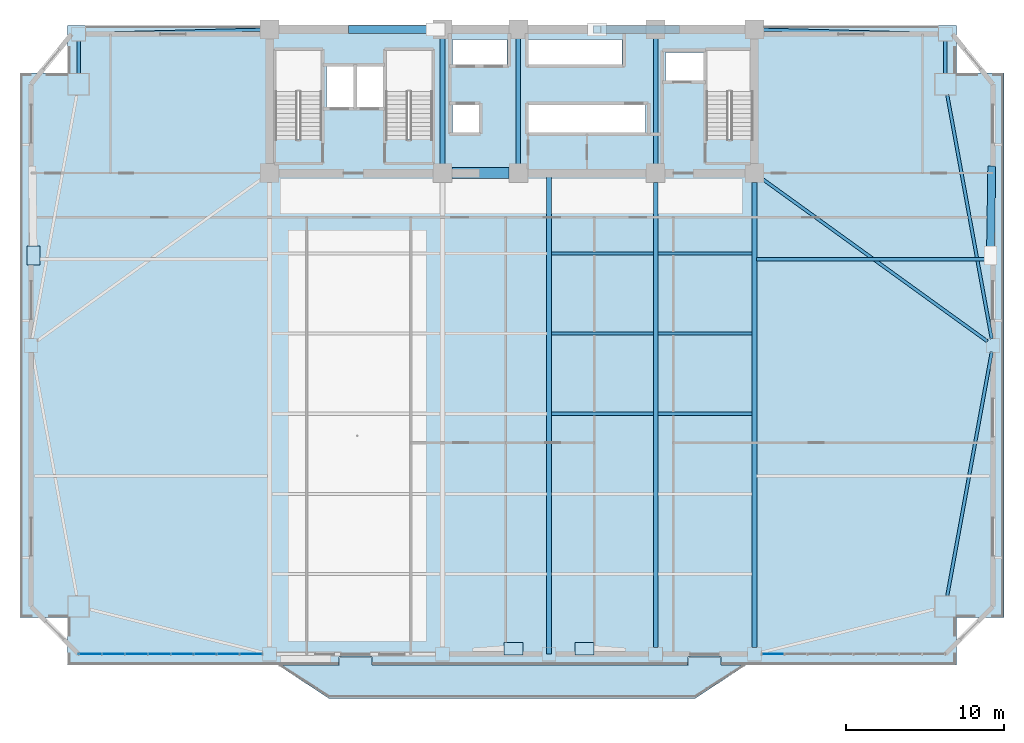
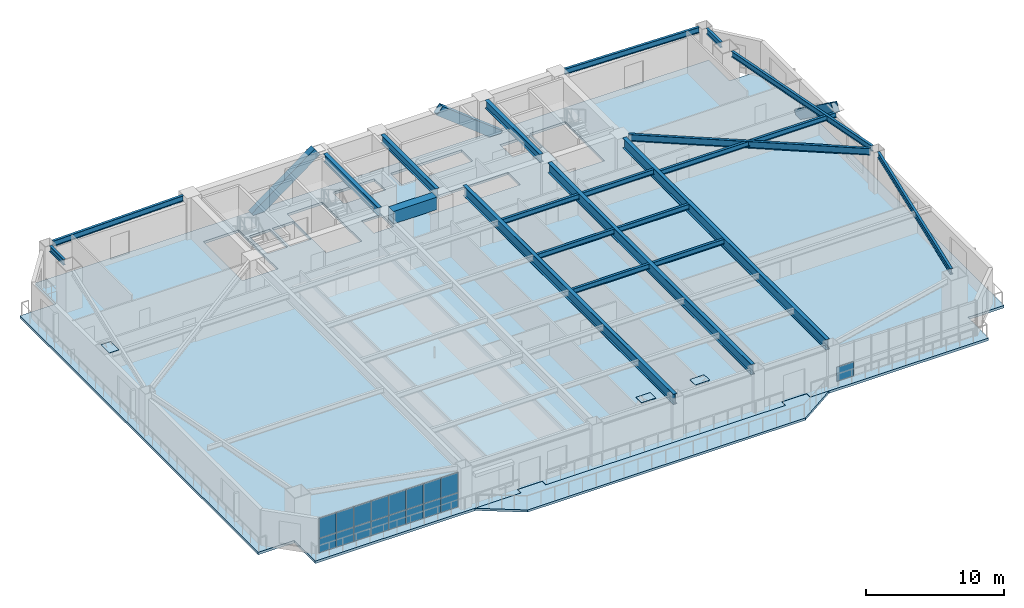
# One storey, part 6 of 15: 21 beams, 20 plates, 3 members, 2 slabs, 2 elements without a shape of their own.
"""IFC4 building model written with IfcOpenShell, lengths in metres."""

from ifc_helpers import new_model, si_unit, direction, frame, origin, origin_2d, place, context, subcontext, project, spatial, polyline, rectangle, hollow_rectangle, i_section, outline, extrude, source, transform, mapped, material, layer, layer_set, material_profile, profile_set, type_object, element, aggregate, save


model = new_model("IFC4")

# Units and contexts
model_context = context("Model", 3, precision=1e-05, world=origin(), true_north=direction((0.0, 1.0)))
body_context = subcontext(model_context, "Body", "Model", "MODEL_VIEW")
ifc_project = project(units=[si_unit("LENGTHUNIT", "METRE"), si_unit("AREAUNIT", "SQUARE_METRE"), si_unit("VOLUMEUNIT", "CUBIC_METRE"), si_unit("PLANEANGLEUNIT", "RADIAN"), si_unit("MASSUNIT", "GRAM", prefix="KILO")], contexts=[model_context])

# Site, building, storey
site_placement = place(None, origin())
site = spatial("IfcSite", under=ifc_project, at=site_placement, CompositionType="ELEMENT")
building_placement = place(site_placement, origin())
building = spatial("IfcBuilding", under=site, at=building_placement, Name="Giltprow Tower", CompositionType="ELEMENT")
storey_placement = place(building_placement, frame((0.0, 0.0, 115.300048828125)))
storey = spatial("IfcBuildingStorey", under=building, at=storey_placement, Name="L28", CompositionType="ELEMENT", Elevation=115.300048828125)

# Beams
ifc_material_1 = material(Name="Concrete C60", Category="concrete")
ifc_material_profile_1 = material_profile(ifc_material_1, rectangle(XDim=0.699951171875, YDim=1.10009765625, at=origin_2d()), Name="RC 1100x700")
ifc_profile_set_1 = profile_set([ifc_material_profile_1], Name="Concrete C60")
beam_type_1 = type_object("IfcBeamType", Name="BM-CPL-RC1100", PredefinedType="LINTEL", material=ifc_profile_set_1)
shared_shape_1 = source(origin(), body_context, "Body", "SweptSolid", [
    extrude(rectangle(XDim=0.699951171875, YDim=1.10009765625, at=origin_2d()), origin(), (0.0, 0.0, 1.0), 3.6298828125),
])
beam_1_placement = place(storey_placement, frame((31.385009765625, 37.449951171875, 3.1298828125), z_axis=(1.0, 0.0, 0.0), x_axis=(0.0, 1.0, 0.0)))
element("IfcBeam", 1, at=beam_1_placement, inside=storey, type_object=beam_type_1, Name="L28 Core Coupling Beam CB-1", PredefinedType="LINTEL", context=body_context, shape_type="MappedRepresentation", body=[
    mapped(shared_shape_1, transform((0.0, 0.0, 0.0), x_axis=(1.0, 0.0, 0.0), y_axis=(0.0, 1.0, 0.0), z_axis=(0.0, 0.0, 1.0), scale=1.0)),
])
ifc_material_2 = material(Name="Structural steel Q355B", Category="steel")
ifc_material_profile_2 = material_profile(ifc_material_2, i_section(OverallWidth=0.300048828125, OverallDepth=0.699951171875, WebThickness=0.012939453125, FlangeThickness=0.02392578125, at=origin_2d()), Name="HN 700x300x13x24")
ifc_profile_set_2 = profile_set([ifc_material_profile_2], Name="Structural steel Q355B")
beam_type_2 = type_object("IfcBeamType", Name="BM-GIRD-HN700", PredefinedType="BEAM", material=ifc_profile_set_2)
shared_shape_2 = source(origin(), body_context, "Body", "SweptSolid", [
    extrude(i_section(OverallWidth=0.300048828125, OverallDepth=0.699951171875, WebThickness=0.012939453125, FlangeThickness=0.02392578125, at=origin_2d()), origin(), (0.0, 0.0, 1.0), 7.93017578125),
])
for number, where, z_axis, x_axis, name in (
    (2, (30.800048828125, 38.034912109375, 3.329833984375), (0.0, 1.0, 0.0), (-1.0, 0.0, 0.0), "L28 Core Tie Girder M1"),
    (3, (35.60009765625, 38.034912109375, 3.329833984375), (0.0, 1.0, 0.0), (-1.0, 0.0, 0.0), "L28 Core Tie Girder M2"),
    (4, (44.300048828125, 38.034912109375, 3.329833984375), (0.0, 1.0, 0.0), (-1.0, 0.0, 0.0), "L28 Core Tie Girder M3"),
):
    element("IfcBeam", number, at=place(storey_placement, frame(where, z_axis=z_axis, x_axis=x_axis)), inside=storey, type_object=beam_type_2, Name=name, PredefinedType="BEAM", context=body_context, shape_type="MappedRepresentation", body=[
        mapped(shared_shape_2, transform((0.0, 0.0, 0.0), x_axis=(1.0, 0.0, 0.0), y_axis=(0.0, 1.0, 0.0), z_axis=(0.0, 0.0, 1.0), scale=1.0)),
    ])
ifc_material_profile_3 = material_profile(ifc_material_2, i_section(OverallWidth=0.199951171875, OverallDepth=0.449951171875, WebThickness=0.009033203125, FlangeThickness=0.013916015625, at=origin_2d()), Name="HN 450x200x9x14")
ifc_profile_set_3 = profile_set([ifc_material_profile_3], Name="Structural steel Q355B")
beam_type_3 = type_object("IfcBeamType", Name="BM-JOIST-HN450", PredefinedType="JOIST", material=ifc_profile_set_3)
shared_shape_3 = source(origin(), body_context, "Body", "SweptSolid", [
    extrude(i_section(OverallWidth=0.199951171875, OverallDepth=0.449951171875, WebThickness=0.009033203125, FlangeThickness=0.013916015625, at=origin_2d()), origin(), (0.0, 0.0, 1.0), 6.4599609375),
])
for number, where, z_axis, x_axis, name in (
    (5, (37.695068359375, 22.219970703125, 3.454833984375), (1.0, 0.0, 0.0), (0.0, 1.0, 0.0), "L28 Composite Floor Joist 3-3"),
    (6, (37.695068359375, 27.297119140625, 3.454833984375), (1.0, 0.0, 0.0), (0.0, 1.0, 0.0), "L28 Composite Floor Joist 4-3"),
    (7, (37.695068359375, 32.373046875, 3.454833984375), (1.0, 0.0, 0.0), (0.0, 1.0, 0.0), "L28 Composite Floor Joist 5-3"),
):
    element("IfcBeam", number, at=place(storey_placement, frame(where, z_axis=z_axis, x_axis=x_axis)), inside=storey, type_object=beam_type_3, Name=name, PredefinedType="JOIST", context=body_context, shape_type="MappedRepresentation", body=[
        mapped(shared_shape_3, transform((0.0, 0.0, 0.0), x_axis=(1.0, 0.0, 0.0), y_axis=(0.0, 1.0, 0.0), z_axis=(0.0, 0.0, 1.0), scale=1.0)),
    ])
shared_shape_4 = source(origin(), body_context, "Body", "SweptSolid", [
    extrude(i_section(OverallWidth=0.199951171875, OverallDepth=0.449951171875, WebThickness=0.009033203125, FlangeThickness=0.013916015625, at=origin_2d()), origin(), (0.0, 0.0, 1.0), 5.9599609375),
])
for number, where, z_axis, x_axis, name in (
    (8, (44.445068359375, 22.219970703125, 3.454833984375), (1.0, 0.0, 0.0), (0.0, 1.0, 0.0), "L28 Composite Floor Joist 3-4"),
    (9, (44.445068359375, 27.297119140625, 3.454833984375), (1.0, 0.0, 0.0), (0.0, 1.0, 0.0), "L28 Composite Floor Joist 4-4"),
    (10, (44.445068359375, 32.373046875, 3.454833984375), (1.0, 0.0, 0.0), (0.0, 1.0, 0.0), "L28 Composite Floor Joist 5-4"),
):
    element("IfcBeam", number, at=place(storey_placement, frame(where, z_axis=z_axis, x_axis=x_axis)), inside=storey, type_object=beam_type_3, Name=name, PredefinedType="JOIST", context=body_context, shape_type="MappedRepresentation", body=[
        mapped(shared_shape_4, transform((0.0, 0.0, 0.0), x_axis=(1.0, 0.0, 0.0), y_axis=(0.0, 1.0, 0.0), z_axis=(0.0, 0.0, 1.0), scale=1.0)),
    ])
ifc_material_profile_4 = material_profile(ifc_material_2, i_section(OverallWidth=0.199951171875, OverallDepth=0.5, WebThickness=0.010009765625, FlangeThickness=0.01611328125, at=origin_2d()), Name="HN 500x200x10x16")
ifc_profile_set_4 = profile_set([ifc_material_profile_4], Name="Structural steel Q355B")
beam_type_4 = type_object("IfcBeamType", Name="BM-SPAN-HN500", PredefinedType="SPANDREL", material=ifc_profile_set_4)
shared_shape_5 = source(origin(), body_context, "Body", "SweptSolid", [
    extrude(i_section(OverallWidth=0.199951171875, OverallDepth=0.5, WebThickness=0.010009765625, FlangeThickness=0.01611328125, at=origin_2d()), origin(), (0.0, 0.0, 1.0), 15.690673828125),
])
for number, where, z_axis, x_axis, name in (
    (11, (62.761962890625, 10.680908203125, 3.429931640625), (0.179463224787, 0.983764682711, 0.0), (-0.983764682711, 0.179463224787, 0.0), "L28 Perimeter Spandrel Beam MC_SE-E_MID"),
    (12, (65.577880859375, 26.972900390625, 3.429931640625), (-0.179463224787, 0.983764682711, 0.0), (-0.983764682711, -0.179463224787, 0.0), "L28 Perimeter Spandrel Beam E_MID-MC_NE"),
):
    element("IfcBeam", number, at=place(storey_placement, frame(where, z_axis=z_axis, x_axis=x_axis)), inside=storey, type_object=beam_type_4, Name=name, PredefinedType="SPANDREL", context=body_context, shape_type="MappedRepresentation", body=[
        mapped(shared_shape_5, transform((0.0, 0.0, 0.0), x_axis=(1.0, 0.0, 0.0), y_axis=(0.0, 1.0, 0.0), z_axis=(0.0, 0.0, 1.0), scale=1.0)),
    ])
shared_shape_6 = source(origin(), body_context, "Body", "SweptSolid", [
    extrude(i_section(OverallWidth=0.199951171875, OverallDepth=0.5, WebThickness=0.010009765625, FlangeThickness=0.01611328125, at=origin_2d()), origin(), (0.0, 0.0, 1.0), 2.046875),
])
for number, where, z_axis, x_axis, name in (
    (13, (62.638916015625, 43.76806640625, 3.429931640625), (0.0, 1.0, 0.0), (-1.0, 0.0, 0.0), "L28 Perimeter Spandrel Beam MC_NE-N_E"),
    (14, (7.760986328125, 45.81494140625, 3.429931640625), (0.0, -1.0, 0.0), (1.0, 0.0, 0.0), "L28 Perimeter Spandrel Beam N_W-MC_NW"),
):
    element("IfcBeam", number, at=place(storey_placement, frame(where, z_axis=z_axis, x_axis=x_axis)), inside=storey, type_object=beam_type_4, Name=name, PredefinedType="SPANDREL", context=body_context, shape_type="MappedRepresentation", body=[
        mapped(shared_shape_6, transform((0.0, 0.0, 0.0), x_axis=(1.0, 0.0, 0.0), y_axis=(0.0, 1.0, 0.0), z_axis=(0.0, 0.0, 1.0), scale=1.0)),
    ])
shared_shape_7 = source(origin(), body_context, "Body", "SweptSolid", [
    extrude(i_section(OverallWidth=0.199951171875, OverallDepth=0.5, WebThickness=0.010009765625, FlangeThickness=0.01611328125, at=origin_2d()), origin(), (0.0, 0.0, 1.0), 11.072265625),
])
beam_2_placement = place(storey_placement, frame((8.196044921875, 46.260986328125, 3.429931640625), z_axis=(0.999693922381, 0.024739877827, 0.0), x_axis=(-0.024739877827, 0.999693922381, 0.0)))
element("IfcBeam", 15, at=beam_2_placement, inside=storey, type_object=beam_type_4, Name="L28 North Wing Spandrel W", PredefinedType="SPANDREL", context=body_context, shape_type="MappedRepresentation", body=[
    mapped(shared_shape_7, transform((0.0, 0.0, 0.0), x_axis=(1.0, 0.0, 0.0), y_axis=(0.0, 1.0, 0.0), z_axis=(0.0, 0.0, 1.0), scale=1.0)),
])
shared_shape_8 = source(origin(), body_context, "Body", "SweptSolid", [
    extrude(i_section(OverallWidth=0.199951171875, OverallDepth=0.5, WebThickness=0.010009765625, FlangeThickness=0.01611328125, at=origin_2d()), origin(), (0.0, 0.0, 1.0), 11.072509765625),
])
beam_3_placement = place(storey_placement, frame((51.135009765625, 46.534912109375, 3.429931640625), z_axis=(0.999693935876, -0.024739332496, 0.0), x_axis=(0.024739332496, 0.999693935876, 0.0)))
element("IfcBeam", 16, at=beam_3_placement, inside=storey, type_object=beam_type_4, Name="L28 North Wing Spandrel E", PredefinedType="SPANDREL", context=body_context, shape_type="MappedRepresentation", body=[
    mapped(shared_shape_8, transform((0.0, 0.0, 0.0), x_axis=(1.0, 0.0, 0.0), y_axis=(0.0, 1.0, 0.0), z_axis=(0.0, 0.0, 1.0), scale=1.0)),
])
ifc_material_profile_5 = material_profile(ifc_material_2, i_section(OverallWidth=0.300048828125, OverallDepth=0.89990234375, WebThickness=0.01611328125, FlangeThickness=0.028076171875, at=origin_2d()), Name="HN 900x300x16x28")
ifc_profile_set_5 = profile_set([ifc_material_profile_5], Name="Structural steel Q355B")
beam_type_5 = type_object("IfcBeamType", Name="BM-GIRD-HN900", PredefinedType="BEAM", material=ifc_profile_set_5)
shared_shape_9 = source(origin(), body_context, "Body", "SweptSolid", [
    extrude(i_section(OverallWidth=0.300048828125, OverallDepth=0.89990234375, WebThickness=0.01611328125, FlangeThickness=0.028076171875, at=origin_2d()), origin(), (0.0, 0.0, 1.0), 29.43994140625),
])
for number, where, z_axis, x_axis, name in (
    (17, (44.300048828125, 7.425048828125, 3.22998046875), (0.0, 1.0, 0.0), (-1.0, 0.0, 0.0), "L28 Primary Lease Girder S3"),
    (18, (50.550048828125, 7.425048828125, 3.22998046875), (0.0, 1.0, 0.0), (-1.0, 0.0, 0.0), "L28 Primary Lease Girder S4"),
):
    element("IfcBeam", number, at=place(storey_placement, frame(where, z_axis=z_axis, x_axis=x_axis)), inside=storey, type_object=beam_type_5, Name=name, PredefinedType="BEAM", context=body_context, shape_type="MappedRepresentation", body=[
        mapped(shared_shape_9, transform((0.0, 0.0, 0.0), x_axis=(1.0, 0.0, 0.0), y_axis=(0.0, 1.0, 0.0), z_axis=(0.0, 0.0, 1.0), scale=1.0)),
    ])
shared_shape_10 = source(origin(), body_context, "Body", "SweptSolid", [
    extrude(i_section(OverallWidth=0.300048828125, OverallDepth=0.89990234375, WebThickness=0.01611328125, FlangeThickness=0.028076171875, at=origin_2d()), origin(), (0.0, 0.0, 1.0), 30.4599609375),
])
beam_4_placement = place(storey_placement, frame((37.550048828125, 6.989990234375, 3.22998046875), z_axis=(0.0, 1.0, 0.0), x_axis=(-1.0, 0.0, 0.0)))
element("IfcBeam", 19, at=beam_4_placement, inside=storey, type_object=beam_type_5, Name="L28 Central Lease Girder SMID", PredefinedType="BEAM", context=body_context, shape_type="MappedRepresentation", body=[
    mapped(shared_shape_10, transform((0.0, 0.0, 0.0), x_axis=(1.0, 0.0, 0.0), y_axis=(0.0, 1.0, 0.0), z_axis=(0.0, 0.0, 1.0), scale=1.0)),
])
ifc_material_profile_6 = material_profile(ifc_material_2, i_section(OverallWidth=0.199951171875, OverallDepth=0.60009765625, WebThickness=0.010986328125, FlangeThickness=0.01708984375, at=origin_2d()), Name="HN 600x200x11x17")
ifc_profile_set_6 = profile_set([ifc_material_profile_6], Name="Structural steel Q355B")
beam_type_6 = type_object("IfcBeamType", Name="BM-GIRD-HN600", PredefinedType="BEAM", material=ifc_profile_set_6)
shared_shape_11 = source(origin(), body_context, "Body", "SweptSolid", [
    extrude(i_section(OverallWidth=0.199951171875, OverallDepth=0.60009765625, WebThickness=0.010986328125, FlangeThickness=0.01708984375, at=origin_2d()), origin(), (0.0, 0.0, 1.0), 17.61083984375),
])
beam_5_placement = place(storey_placement, frame((65.302978515625, 26.800048828125, 3.3798828125), z_axis=(-0.810808250373, 0.585311866552, 0.0), x_axis=(-0.585311866552, -0.810808250373, 0.0)))
element("IfcBeam", 20, at=beam_5_placement, inside=storey, type_object=beam_type_6, Name="L28 East Wing Primary Girder", PredefinedType="BEAM", context=body_context, shape_type="MappedRepresentation", body=[
    mapped(shared_shape_11, transform((0.0, 0.0, 0.0), x_axis=(1.0, 0.0, 0.0), y_axis=(0.0, 1.0, 0.0), z_axis=(0.0, 0.0, 1.0), scale=1.0)),
])
shared_shape_12 = source(origin(), body_context, "Body", "SweptSolid", [
    extrude(i_section(OverallWidth=0.199951171875, OverallDepth=0.449951171875, WebThickness=0.009033203125, FlangeThickness=0.013916015625, at=origin_2d()), origin(), (0.0, 0.0, 1.0), 14.740966796875),
])
beam_6_placement = place(storey_placement, frame((50.695068359375, 31.998046875, 3.454833984375), z_axis=(1.0, 0.0, 0.0), x_axis=(0.0, 1.0, 0.0)))
element("IfcBeam", 21, at=beam_6_placement, inside=storey, type_object=beam_type_3, Name="L28 East Wing Floor Joist 2", PredefinedType="JOIST", context=body_context, shape_type="MappedRepresentation", body=[
    mapped(shared_shape_12, transform((0.0, 0.0, 0.0), x_axis=(1.0, 0.0, 0.0), y_axis=(0.0, 1.0, 0.0), z_axis=(0.0, 0.0, 1.0), scale=1.0)),
])

# Members
ifc_material_3 = material(Name="Structural steel Q420GJC", Category="steel")
ifc_material_profile_7 = material_profile(ifc_material_3, hollow_rectangle(XDim=0.5, YDim=0.800048828125, WallThickness=0.035888671875, at=origin_2d()), Name="RHS 800x500x36")
ifc_profile_set_7 = profile_set([ifc_material_profile_7], Name="Structural steel Q420GJC")
member_type = type_object("IfcMemberType", Name="MBR-MEGA-RHS800", PredefinedType="BRACE", material=ifc_profile_set_7)
shared_shape_13 = source(origin(), body_context, "Body", "SweptSolid", [
    extrude(hollow_rectangle(XDim=0.5, YDim=0.800048828125, WallThickness=0.035888671875, at=origin_2d()), origin(), (0.0, 0.0, 1.0), 6.5400390625),
])
member_1_placement = place(storey_placement, frame((25.10009765625, 46.550048828125, -0.14013671875), z_axis=(0.802733126154, 0.0, 0.596338434259), x_axis=(0.0, 1.0, 0.0)))
element("IfcMember", 22, at=member_1_placement, inside=storey, type_object=member_type, Name="L28 Chevron Mega-Brace N-L", PredefinedType="BRACE", context=body_context, shape_type="MappedRepresentation", body=[
    mapped(shared_shape_13, transform((0.0, 0.0, 0.0), x_axis=(1.0, 0.0, 0.0), y_axis=(0.0, 1.0, 0.0), z_axis=(0.0, 0.0, 1.0), scale=1.0)),
])
shared_shape_14 = source(origin(), body_context, "Body", "SweptSolid", [
    extrude(hollow_rectangle(XDim=0.5, YDim=0.800048828125, WallThickness=0.035888671875, at=origin_2d()), origin(), (0.0, 0.0, 1.0), 6.32861328125),
])
member_2_placement = place(storey_placement, frame((45.56689453125, 46.550048828125, -0.14013671875), z_axis=(-0.787526980349, 0.0, 0.616280175912), x_axis=(0.0, -1.0, 0.0)))
element("IfcMember", 23, at=member_2_placement, inside=storey, type_object=member_type, Name="L28 Chevron Mega-Brace N-R", PredefinedType="BRACE", context=body_context, shape_type="MappedRepresentation", body=[
    mapped(shared_shape_14, transform((0.0, 0.0, 0.0), x_axis=(1.0, 0.0, 0.0), y_axis=(0.0, 1.0, 0.0), z_axis=(0.0, 0.0, 1.0), scale=1.0)),
])
shared_shape_15 = source(origin(), body_context, "Body", "SweptSolid", [
    extrude(hollow_rectangle(XDim=0.5, YDim=0.800048828125, WallThickness=0.035888671875, at=origin_2d()), origin(), (0.0, 0.0, 1.0), 6.680908203125),
])
member_3_placement = place(storey_placement, frame((65.577880859375, 37.657958984375, 0.0), z_axis=(-0.011803202512, -0.811863003733, 0.583728659208), x_axis=(0.999894333973, -0.014536880311, 0.0)))
element("IfcMember", 24, at=member_3_placement, inside=storey, type_object=member_type, Name="L28 Chevron Mega-Brace E-R", PredefinedType="BRACE", context=body_context, shape_type="MappedRepresentation", body=[
    mapped(shared_shape_15, transform((0.0, 0.0, 0.0), x_axis=(1.0, 0.0, 0.0), y_axis=(0.0, 1.0, 0.0), z_axis=(0.0, 0.0, 1.0), scale=1.0)),
])

# Slabs
ifc_material_4 = material(Name="Concrete C40", Category="concrete")
ifc_layer_1 = layer(ifc_material_4, 0.199951171875, Name="Concrete C40")
ifc_layer_set_1 = layer_set([ifc_layer_1], Name="Concrete C40")
slab_type_1 = type_object("IfcSlabType", Name="SLB-BALC-BRONZE-200", PredefinedType="FLOOR", material=ifc_layer_set_1)
slab_1_placement = place(storey_placement, frame((0.0, 0.0, -0.199951171875)))
element("IfcSlab", 25, at=slab_1_placement, inside=storey, type_object=slab_type_1, Name="L28 Bronze Prow Waterfront Balcony Slab", PredefinedType="FLOOR", context=body_context, shape_type="SweptSolid", body=[
    extrude(outline(polyline([(50.0, 6.2900390625), (46.800048828125, 4.18994140625), (23.60009765625, 4.18994140625), (20.39990234375, 6.2900390625), (24.280029296875, 6.2900390625), (24.280029296875, 6.7900390625), (26.320068359375, 6.7900390625), (26.320068359375, 6.2900390625), (46.3798828125, 6.2900390625), (46.3798828125, 6.7900390625), (48.419921875, 6.7900390625), (48.419921875, 6.2900390625), (50.0, 6.2900390625)])), origin(), (0.0, 0.0, 1.0), 0.199951171875),
])
ifc_layer_2 = layer(ifc_material_4, 0.219970703125, Name="Concrete C40")
ifc_layer_set_2 = layer_set([ifc_layer_2], Name="Concrete C40")
slab_type_2 = type_object("IfcSlabType", Name="SLB-OFF-220", PredefinedType="FLOOR", material=ifc_layer_set_2)
slab_2_placement = place(storey_placement, frame((0.0, 0.0, -0.219970703125)))
element("IfcSlab", 26, at=slab_2_placement, inside=storey, type_object=slab_type_2, Name="L28 Structural Composite Floor Slab", PredefinedType="FLOOR", context=body_context, shape_type="SweptSolid", body=[
    extrude(outline(polyline([(7.06103515625, 6.2900390625), (7.06103515625, 9.306884765625), (4.0439453125, 9.306884765625), (4.0439453125, 43.782958984375), (7.06103515625, 43.782958984375), (7.06103515625, 46.800048828125), (63.339111328125, 46.800048828125), (63.339111328125, 43.782958984375), (66.35595703125, 43.782958984375), (66.35595703125, 9.306884765625), (63.339111328125, 9.306884765625), (63.339111328125, 6.2900390625), (48.449951171875, 6.2900390625), (48.449951171875, 6.81005859375), (46.35009765625, 6.81005859375), (46.35009765625, 6.2900390625), (26.35009765625, 6.2900390625), (26.35009765625, 6.81005859375), (24.25, 6.81005859375), (24.25, 6.2900390625), (7.06103515625, 6.2900390625)]), holes=[polyline([(33.10009765625, 41.800048828125), (31.419921875, 41.800048828125), (31.419921875, 40.0), (33.10009765625, 40.0), (33.10009765625, 41.800048828125)]), polyline([(23.159912109375, 39.570068359375), (23.159912109375, 45.25), (20.199951171875, 45.25), (20.199951171875, 39.570068359375), (23.159912109375, 39.570068359375)]), polyline([(30.159912109375, 45.25), (27.199951171875, 45.25), (27.199951171875, 39.570068359375), (30.159912109375, 39.570068359375), (30.159912109375, 45.25)]), polyline([(25.169921875, 41.60009765625), (25.169921875, 44.199951171875), (23.449951171875, 44.199951171875), (23.449951171875, 41.60009765625), (25.169921875, 41.60009765625)]), polyline([(27.10009765625, 41.60009765625), (27.10009765625, 44.199951171875), (25.35009765625, 44.199951171875), (25.35009765625, 41.60009765625), (27.10009765625, 41.60009765625)]), polyline([(43.659912109375, 40.0), (43.659912109375, 41.800048828125), (36.239990234375, 41.800048828125), (36.239990234375, 40.0), (43.659912109375, 40.0)]), polyline([(50.4599609375, 39.570068359375), (50.4599609375, 45.25), (47.5, 45.25), (47.5, 39.570068359375), (50.4599609375, 39.570068359375)]), polyline([(47.3798828125, 45.10009765625), (44.919921875, 45.10009765625), (44.919921875, 43.300048828125), (47.3798828125, 43.300048828125), (47.3798828125, 45.10009765625)]), polyline([(34.8798828125, 44.300048828125), (34.8798828125, 45.919921875), (31.419921875, 45.919921875), (31.419921875, 44.300048828125), (34.8798828125, 44.300048828125)]), polyline([(42.169921875, 44.300048828125), (42.169921875, 45.919921875), (36.239990234375, 45.919921875), (36.239990234375, 44.300048828125), (42.169921875, 44.300048828125)])]), origin(), (0.0, 0.0, 1.0), 0.219970703125),
])

# Plates
plate_type_1 = type_object("IfcPlateType", Name="PLT-CAP-SEAL", PredefinedType="USERDEFINED", material=ifc_material_3)
shared_shape_16 = source(origin(), body_context, "Body", "SweptSolid", [
    extrude(rectangle(XDim=1.199951171875, YDim=0.800048828125, at=origin_2d()), origin(), (0.0, 0.0, 1.0), 0.034912109375),
])
for number, where, z_axis, x_axis, name in (
    (27, (35.300048828125, 7.342041015625, 3.88232421875), (0.0, 0.0, 1.0), (1.0, 0.0, 0.0), "Mega-Brace Node L28-S-LB"),
    (28, (39.800048828125, 7.342041015625, 3.88232421875), (0.0, 0.0, 1.0), (1.0, 0.0, 0.0), "Mega-Brace Node L28-S-RB"),
    (29, (4.90087890625, 32.23388671875, 3.88232421875), (0.0, 0.0, 1.0), (0.0, 1.0, 0.0), "Mega-Brace Node L28-W-RB"),
):
    element("IfcPlate", number, at=place(storey_placement, frame(where, z_axis=z_axis, x_axis=x_axis)), inside=storey, type_object=plate_type_1, Name=name, ObjectType="SPLICE", PredefinedType="USERDEFINED", context=body_context, shape_type="MappedRepresentation", body=[
        mapped(shared_shape_16, transform((0.0, 0.0, 0.0), x_axis=(1.0, 0.0, 0.0), y_axis=(0.0, 1.0, 0.0), z_axis=(0.0, 0.0, 1.0), scale=1.0)),
    ])

# Curtain wall, plates
ifc_material_5 = material(Name="Anodized bronze", Category="metal")
ifc_layer_3 = layer(ifc_material_5, 0.179931640625, Name="Anodized bronze")
ifc_layer_set_3 = layer_set([ifc_layer_3], Name="Anodized bronze")
curtain_wall_type = type_object("IfcCurtainWallType", Name="CW-OFF-RECESSED", PredefinedType="NOTDEFINED", material=ifc_layer_set_3)
curtain_wall_1_placement = place(storey_placement, origin())
curtain_wall_1 = element("IfcCurtainWall", 30, at=curtain_wall_1_placement, inside=storey, type_object=curtain_wall_type, Name="L28 South Recessed Curtain Wall 1", PredefinedType="NOTDEFINED")
ifc_material_6 = material(Name="Insulated glass", Category="glass")
plate_type_2 = type_object("IfcPlateType", Name="CW-PANEL-IGU-28", PredefinedType="CURTAIN_PANEL", material=ifc_material_6)
shared_shape_17 = source(origin(), body_context, "Body", "SweptSolid", [
    extrude(rectangle(XDim=1.425048828125, YDim=0.028076171875, at=origin_2d()), origin(), (0.0, 0.0, 1.0), 1.259033203125),
])
plate_1_placement = place(storey_placement, frame((8.488037109375, 6.989990234375, 0.05322265625), z_axis=(0.0, 0.0, 1.0), x_axis=(1.0, 0.0, 0.0)))
plate_1 = element("IfcPlate", 31, at=plate_1_placement, type_object=plate_type_2, Name="L28 South Recessed Curtain Wall 1 Glazing Panel 1-1", PredefinedType="CURTAIN_PANEL", context=body_context, shape_type="MappedRepresentation", body=[
    mapped(shared_shape_17, transform((0.0, 0.0, 0.0), x_axis=(1.0, 0.0, 0.0), y_axis=(0.0, 1.0, 0.0), z_axis=(0.0, 0.0, 1.0), scale=1.0)),
])
plate_2_placement = place(storey_placement, frame((9.943115234375, 6.989990234375, 0.05322265625), z_axis=(0.0, 0.0, 1.0), x_axis=(1.0, 0.0, 0.0)))
plate_2 = element("IfcPlate", 32, at=plate_2_placement, type_object=plate_type_2, Name="L28 South Recessed Curtain Wall 1 Glazing Panel 2-1", PredefinedType="CURTAIN_PANEL", context=body_context, shape_type="MappedRepresentation", body=[
    mapped(shared_shape_17, transform((0.0, 0.0, 0.0), x_axis=(1.0, 0.0, 0.0), y_axis=(0.0, 1.0, 0.0), z_axis=(0.0, 0.0, 1.0), scale=1.0)),
])
plate_3_placement = place(storey_placement, frame((11.39794921875, 6.989990234375, 0.05322265625), z_axis=(0.0, 0.0, 1.0), x_axis=(1.0, 0.0, 0.0)))
plate_3 = element("IfcPlate", 33, at=plate_3_placement, type_object=plate_type_2, Name="L28 South Recessed Curtain Wall 1 Glazing Panel 3-1", PredefinedType="CURTAIN_PANEL", context=body_context, shape_type="MappedRepresentation", body=[
    mapped(shared_shape_17, transform((0.0, 0.0, 0.0), x_axis=(1.0, 0.0, 0.0), y_axis=(0.0, 1.0, 0.0), z_axis=(0.0, 0.0, 1.0), scale=1.0)),
])
plate_4_placement = place(storey_placement, frame((12.85302734375, 6.989990234375, 0.05322265625), z_axis=(0.0, 0.0, 1.0), x_axis=(1.0, 0.0, 0.0)))
plate_4 = element("IfcPlate", 34, at=plate_4_placement, type_object=plate_type_2, Name="L28 South Recessed Curtain Wall 1 Glazing Panel 4-1", PredefinedType="CURTAIN_PANEL", context=body_context, shape_type="MappedRepresentation", body=[
    mapped(shared_shape_17, transform((0.0, 0.0, 0.0), x_axis=(1.0, 0.0, 0.0), y_axis=(0.0, 1.0, 0.0), z_axis=(0.0, 0.0, 1.0), scale=1.0)),
])
plate_5_placement = place(storey_placement, frame((14.30810546875, 6.989990234375, 0.05322265625), z_axis=(0.0, 0.0, 1.0), x_axis=(1.0, 0.0, 0.0)))
plate_5 = element("IfcPlate", 35, at=plate_5_placement, type_object=plate_type_2, Name="L28 South Recessed Curtain Wall 1 Glazing Panel 5-1", PredefinedType="CURTAIN_PANEL", context=body_context, shape_type="MappedRepresentation", body=[
    mapped(shared_shape_17, transform((0.0, 0.0, 0.0), x_axis=(1.0, 0.0, 0.0), y_axis=(0.0, 1.0, 0.0), z_axis=(0.0, 0.0, 1.0), scale=1.0)),
])
plate_6_placement = place(storey_placement, frame((15.762939453125, 6.989990234375, 0.05322265625), z_axis=(0.0, 0.0, 1.0), x_axis=(1.0, 0.0, 0.0)))
plate_6 = element("IfcPlate", 36, at=plate_6_placement, type_object=plate_type_2, Name="L28 South Recessed Curtain Wall 1 Glazing Panel 6-1", PredefinedType="CURTAIN_PANEL", context=body_context, shape_type="MappedRepresentation", body=[
    mapped(shared_shape_17, transform((0.0, 0.0, 0.0), x_axis=(1.0, 0.0, 0.0), y_axis=(0.0, 1.0, 0.0), z_axis=(0.0, 0.0, 1.0), scale=1.0)),
])
plate_7_placement = place(storey_placement, frame((17.218017578125, 6.989990234375, 0.05322265625), z_axis=(0.0, 0.0, 1.0), x_axis=(1.0, 0.0, 0.0)))
plate_7 = element("IfcPlate", 37, at=plate_7_placement, type_object=plate_type_2, Name="L28 South Recessed Curtain Wall 1 Glazing Panel 7-1", PredefinedType="CURTAIN_PANEL", context=body_context, shape_type="MappedRepresentation", body=[
    mapped(shared_shape_17, transform((0.0, 0.0, 0.0), x_axis=(1.0, 0.0, 0.0), y_axis=(0.0, 1.0, 0.0), z_axis=(0.0, 0.0, 1.0), scale=1.0)),
])
plate_8_placement = place(storey_placement, frame((18.673095703125, 6.989990234375, 0.05322265625), z_axis=(0.0, 0.0, 1.0), x_axis=(1.0, 0.0, 0.0)))
plate_8 = element("IfcPlate", 38, at=plate_8_placement, type_object=plate_type_2, Name="L28 South Recessed Curtain Wall 1 Glazing Panel 8-1", PredefinedType="CURTAIN_PANEL", context=body_context, shape_type="MappedRepresentation", body=[
    mapped(shared_shape_17, transform((0.0, 0.0, 0.0), x_axis=(1.0, 0.0, 0.0), y_axis=(0.0, 1.0, 0.0), z_axis=(0.0, 0.0, 1.0), scale=1.0)),
])

# Curtain wall, plate
curtain_wall_2_placement = place(storey_placement, origin())
curtain_wall_2 = element("IfcCurtainWall", 39, at=curtain_wall_2_placement, inside=storey, type_object=curtain_wall_type, Name="L28 South Recessed Curtain Wall 6", PredefinedType="NOTDEFINED")
plate_9_placement = place(storey_placement, frame((51.72705078125, 6.989990234375, 0.05322265625), z_axis=(0.0, 0.0, 1.0), x_axis=(1.0, 0.0, 0.0)))
plate_9 = element("IfcPlate", 40, at=plate_9_placement, type_object=plate_type_2, Name="L28 South Recessed Curtain Wall 6 Glazing Panel 1-1", PredefinedType="CURTAIN_PANEL", context=body_context, shape_type="MappedRepresentation", body=[
    mapped(shared_shape_17, transform((0.0, 0.0, 0.0), x_axis=(1.0, 0.0, 0.0), y_axis=(0.0, 1.0, 0.0), z_axis=(0.0, 0.0, 1.0), scale=1.0)),
])
aggregate(curtain_wall_2, [plate_9])

# Plate
shared_shape_18 = source(origin(), body_context, "Body", "SweptSolid", [
    extrude(rectangle(XDim=1.425048828125, YDim=0.028076171875, at=origin_2d()), origin(), (0.0, 0.0, 1.0), 1.764892578125),
])
plate_10_placement = place(storey_placement, frame((8.488037109375, 6.989990234375, 1.34033203125), z_axis=(0.0, 0.0, 1.0), x_axis=(1.0, 0.0, 0.0)))
plate_10 = element("IfcPlate", 41, at=plate_10_placement, type_object=plate_type_2, Name="L28 South Recessed Curtain Wall 1 Glazing Panel 1-2", PredefinedType="CURTAIN_PANEL", context=body_context, shape_type="MappedRepresentation", body=[
    mapped(shared_shape_18, transform((0.0, 0.0, 0.0), x_axis=(1.0, 0.0, 0.0), y_axis=(0.0, 1.0, 0.0), z_axis=(0.0, 0.0, 1.0), scale=1.0)),
])

plate_11_placement = place(storey_placement, frame((9.943115234375, 6.989990234375, 1.34033203125), z_axis=(0.0, 0.0, 1.0), x_axis=(1.0, 0.0, 0.0)))
plate_11 = element("IfcPlate", 42, at=plate_11_placement, type_object=plate_type_2, Name="L28 South Recessed Curtain Wall 1 Glazing Panel 2-2", PredefinedType="CURTAIN_PANEL", context=body_context, shape_type="MappedRepresentation", body=[
    mapped(shared_shape_18, transform((0.0, 0.0, 0.0), x_axis=(1.0, 0.0, 0.0), y_axis=(0.0, 1.0, 0.0), z_axis=(0.0, 0.0, 1.0), scale=1.0)),
])

plate_12_placement = place(storey_placement, frame((11.39794921875, 6.989990234375, 1.34033203125), z_axis=(0.0, 0.0, 1.0), x_axis=(1.0, 0.0, 0.0)))
plate_12 = element("IfcPlate", 43, at=plate_12_placement, type_object=plate_type_2, Name="L28 South Recessed Curtain Wall 1 Glazing Panel 3-2", PredefinedType="CURTAIN_PANEL", context=body_context, shape_type="MappedRepresentation", body=[
    mapped(shared_shape_18, transform((0.0, 0.0, 0.0), x_axis=(1.0, 0.0, 0.0), y_axis=(0.0, 1.0, 0.0), z_axis=(0.0, 0.0, 1.0), scale=1.0)),
])

plate_13_placement = place(storey_placement, frame((12.85302734375, 6.989990234375, 1.34033203125), z_axis=(0.0, 0.0, 1.0), x_axis=(1.0, 0.0, 0.0)))
plate_13 = element("IfcPlate", 44, at=plate_13_placement, type_object=plate_type_2, Name="L28 South Recessed Curtain Wall 1 Glazing Panel 4-2", PredefinedType="CURTAIN_PANEL", context=body_context, shape_type="MappedRepresentation", body=[
    mapped(shared_shape_18, transform((0.0, 0.0, 0.0), x_axis=(1.0, 0.0, 0.0), y_axis=(0.0, 1.0, 0.0), z_axis=(0.0, 0.0, 1.0), scale=1.0)),
])

plate_14_placement = place(storey_placement, frame((14.30810546875, 6.989990234375, 1.34033203125), z_axis=(0.0, 0.0, 1.0), x_axis=(1.0, 0.0, 0.0)))
plate_14 = element("IfcPlate", 45, at=plate_14_placement, type_object=plate_type_2, Name="L28 South Recessed Curtain Wall 1 Glazing Panel 5-2", PredefinedType="CURTAIN_PANEL", context=body_context, shape_type="MappedRepresentation", body=[
    mapped(shared_shape_18, transform((0.0, 0.0, 0.0), x_axis=(1.0, 0.0, 0.0), y_axis=(0.0, 1.0, 0.0), z_axis=(0.0, 0.0, 1.0), scale=1.0)),
])

plate_15_placement = place(storey_placement, frame((15.762939453125, 6.989990234375, 1.34033203125), z_axis=(0.0, 0.0, 1.0), x_axis=(1.0, 0.0, 0.0)))
plate_15 = element("IfcPlate", 46, at=plate_15_placement, type_object=plate_type_2, Name="L28 South Recessed Curtain Wall 1 Glazing Panel 6-2", PredefinedType="CURTAIN_PANEL", context=body_context, shape_type="MappedRepresentation", body=[
    mapped(shared_shape_18, transform((0.0, 0.0, 0.0), x_axis=(1.0, 0.0, 0.0), y_axis=(0.0, 1.0, 0.0), z_axis=(0.0, 0.0, 1.0), scale=1.0)),
])

plate_16_placement = place(storey_placement, frame((17.218017578125, 6.989990234375, 1.34033203125), z_axis=(0.0, 0.0, 1.0), x_axis=(1.0, 0.0, 0.0)))
plate_16 = element("IfcPlate", 47, at=plate_16_placement, type_object=plate_type_2, Name="L28 South Recessed Curtain Wall 1 Glazing Panel 7-2", PredefinedType="CURTAIN_PANEL", context=body_context, shape_type="MappedRepresentation", body=[
    mapped(shared_shape_18, transform((0.0, 0.0, 0.0), x_axis=(1.0, 0.0, 0.0), y_axis=(0.0, 1.0, 0.0), z_axis=(0.0, 0.0, 1.0), scale=1.0)),
])

plate_17_placement = place(storey_placement, frame((18.673095703125, 6.989990234375, 1.34033203125), z_axis=(0.0, 0.0, 1.0), x_axis=(1.0, 0.0, 0.0)))
plate_17 = element("IfcPlate", 48, at=plate_17_placement, type_object=plate_type_2, Name="L28 South Recessed Curtain Wall 1 Glazing Panel 8-2", PredefinedType="CURTAIN_PANEL", context=body_context, shape_type="MappedRepresentation", body=[
    mapped(shared_shape_18, transform((0.0, 0.0, 0.0), x_axis=(1.0, 0.0, 0.0), y_axis=(0.0, 1.0, 0.0), z_axis=(0.0, 0.0, 1.0), scale=1.0)),
])

aggregate(curtain_wall_1, [plate_1, plate_10, plate_2, plate_11, plate_3, plate_12, plate_4, plate_13, plate_5, plate_14, plate_6, plate_15, plate_7, plate_16, plate_8, plate_17])

save(model, "model.ifc")
